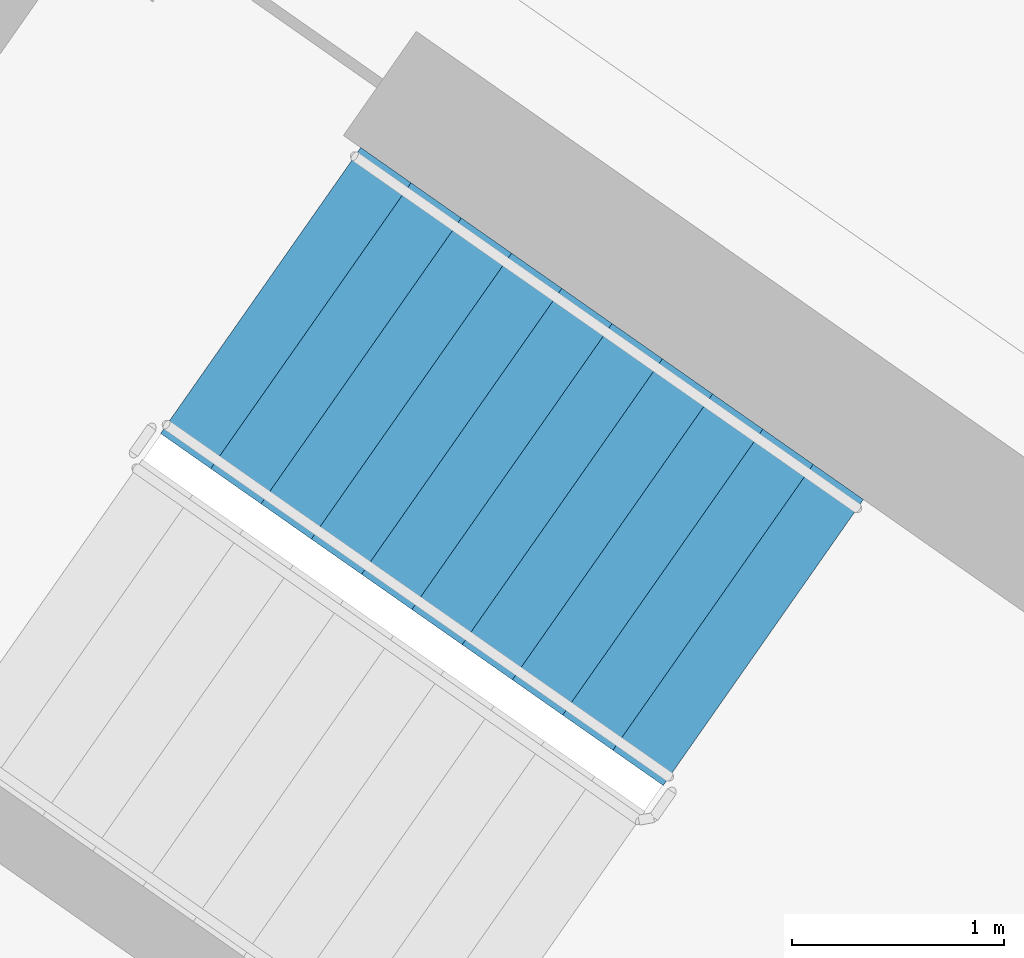
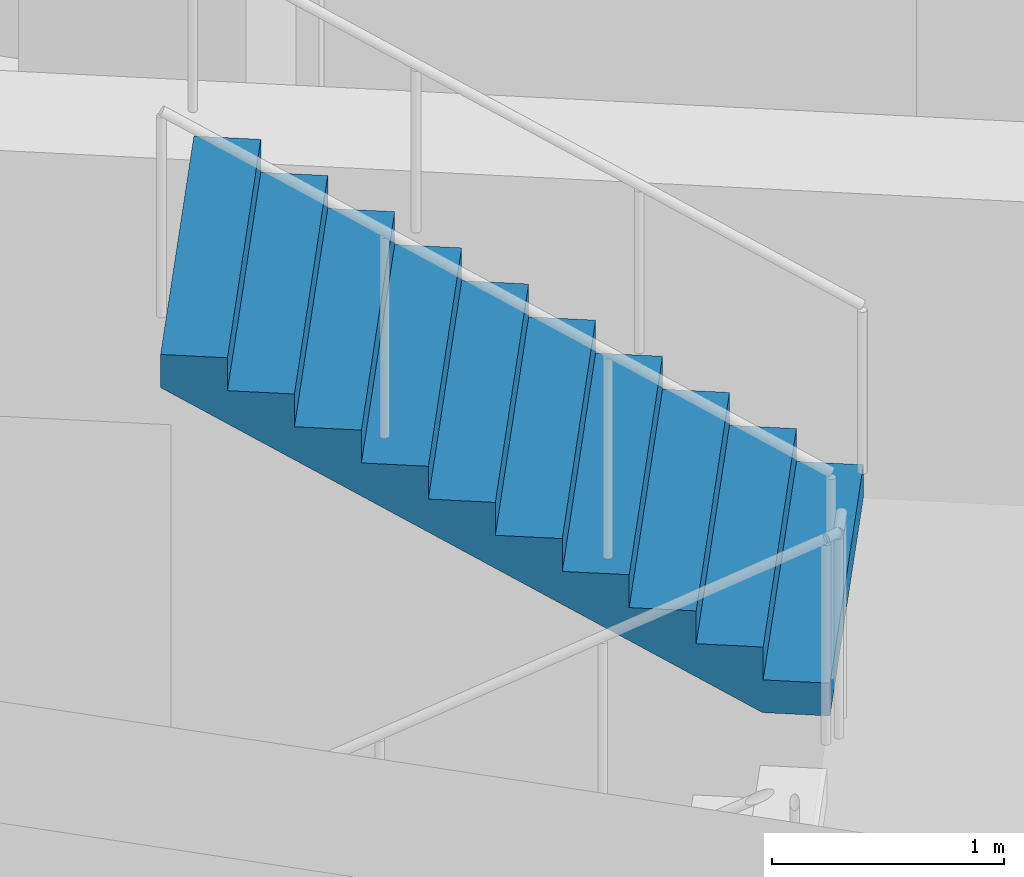
# One storey, part 12 of 27: 1 stair flight, 1 element without a shape of its own.
"""IFC4 building model written with IfcOpenShell, lengths in metres."""

from ifc_helpers import new_model, si_unit, direction, frame, origin, place, context, subcontext, project, spatial, faceted_brep, material, type_object, element, aggregate, save


model = new_model("IFC4")

# Units and contexts
model_context = context("Model", 3, precision=1e-05, world=origin(), true_north=direction((0.0, 1.0)))
body_context = subcontext(model_context, "Body", "Model", "MODEL_VIEW")
ifc_project = project(units=[si_unit("LENGTHUNIT", "METRE"), si_unit("AREAUNIT", "SQUARE_METRE"), si_unit("VOLUMEUNIT", "CUBIC_METRE"), si_unit("PLANEANGLEUNIT", "RADIAN"), si_unit("MASSUNIT", "GRAM", prefix="KILO")], contexts=[model_context])

# Site, building, storey
site_placement = place(None, origin())
site = spatial("IfcSite", under=ifc_project, at=site_placement, CompositionType="ELEMENT")
building_placement = place(site_placement, origin())
building = spatial("IfcBuilding", under=site, at=building_placement, Name="Qamariyya Broadcast Tower", CompositionType="ELEMENT")
storey_placement = place(building_placement, frame((0.0, 0.0, 222.699951171875)))
storey = spatial("IfcBuildingStorey", under=building, at=storey_placement, Name="L53", CompositionType="ELEMENT", Elevation=222.699951171875)

# Stair, stair flight
ifc_material = material(Name="Concrete C50/60", Category="concrete")
stair_type = type_object("IfcStairType", Name="Exit stair 22 risers of 173 mm", PredefinedType="HALF_TURN_STAIR", material=ifc_material)
stair_placement = place(storey_placement, origin())
stair = element("IfcStair", 1, at=stair_placement, inside=storey, type_object=stair_type, Name="L53 Stair W2", PredefinedType="HALF_TURN_STAIR")
stair_flight_type = type_object("IfcStairFlightType", Name="Exit stair flight 11 risers of 173 mm", PredefinedType="STRAIGHT", material=ifc_material)
stair_flight_placement = place(storey_placement, frame((-38.18310546875, -49.3486328125, 1.900146484375), z_axis=(0.0, 0.0, 1.0), x_axis=(-0.819152044289, 0.573576436351, 0.0)))
stair_flight = element("IfcStairFlight", 2, at=stair_flight_placement, type_object=stair_flight_type, Name="ST-W2 flight 2", NumberOfRisers=11, NumberOfTreads=10, PredefinedType="STRAIGHT", RiserHeight=0.172727273, TreadLength=0.29, context=body_context, shape_type="Brep", body=[
    faceted_brep([(0.0, 0.824951171875, 0.0), (0.0, 0.824951171875, 0.172607421875), (0.2900390625, 0.824951171875, 0.172607421875), (0.2900390625, 0.824951171875, 0.345458984375), (0.580078125, 0.824951171875, 0.345458984375), (0.580078125, 0.824951171875, 0.51806640625), (0.8701171875, 0.824951171875, 0.51806640625), (0.8701171875, 0.824951171875, 0.69091796875), (1.159912109375, 0.824951171875, 0.69091796875), (1.159912109375, 0.824951171875, 0.863525390625), (1.449951171875, 0.824951171875, 0.863525390625), (1.449951171875, 0.824951171875, 1.036376953125), (1.739990234375, 0.824951171875, 1.036376953125), (1.739990234375, 0.824951171875, 1.208984375), (2.030029296875, 0.824951171875, 1.208984375), (2.030029296875, 0.824951171875, 1.3818359375), (2.320068359375, 0.824951171875, 1.3818359375), (2.320068359375, 0.824951171875, 1.554443359375), (2.610107421875, 0.824951171875, 1.554443359375), (2.610107421875, 0.824951171875, 1.727294921875), (2.89990234375, 0.824951171875, 1.727294921875), (2.89990234375, 0.824951171875, 1.552734375), (0.29296875, 0.824951171875, 0.0), (0.29296875, -0.824951171875, 0.0), (2.89990234375, -0.824951171875, 1.552734375), (2.89990234375, -0.824951171875, 1.727294921875), (2.610107421875, -0.824951171875, 1.727294921875), (2.610107421875, -0.824951171875, 1.554443359375), (2.320068359375, -0.824951171875, 1.554443359375), (2.320068359375, -0.824951171875, 1.3818359375), (2.030029296875, -0.824951171875, 1.3818359375), (2.030029296875, -0.824951171875, 1.208984375), (1.739990234375, -0.824951171875, 1.208984375), (1.739990234375, -0.824951171875, 1.036376953125), (1.449951171875, -0.824951171875, 1.036376953125), (1.449951171875, -0.824951171875, 0.863525390625), (1.159912109375, -0.824951171875, 0.863525390625), (1.159912109375, -0.824951171875, 0.69091796875), (0.8701171875, -0.824951171875, 0.69091796875), (0.8701171875, -0.824951171875, 0.51806640625), (0.580078125, -0.824951171875, 0.51806640625), (0.580078125, -0.824951171875, 0.345458984375), (0.2900390625, -0.824951171875, 0.345458984375), (0.2900390625, -0.824951171875, 0.172607421875), (0.0, -0.824951171875, 0.172607421875), (0.0, -0.824951171875, 0.0), (0.0, 0.10009765625, 0.0), (0.0, 0.086669921875, 0.0), (0.0, 0.0732421875, 0.0), (0.0, 0.06005859375, 0.0), (0.0, 0.046630859375, 0.0), (0.0, 0.033447265625, 0.0), (0.0, 0.02001953125, 0.0), (0.0, 0.006591796875, 0.0), (0.0, -0.006591796875, 0.0), (0.0, -0.02001953125, 0.0), (0.0, -0.033447265625, 0.0), (0.0, -0.046630859375, 0.0), (0.0, -0.06005859375, 0.0), (0.0, -0.0732421875, 0.0), (0.0, -0.086669921875, 0.0), (0.0, -0.10009765625, 0.0), (0.0, -0.10009765625, 0.172607421875), (0.0, -0.086669921875, 0.172607421875), (0.0, -0.0732421875, 0.172607421875), (0.0, -0.06005859375, 0.172607421875), (0.0, -0.046630859375, 0.172607421875), (0.0, -0.033447265625, 0.172607421875), (0.0, -0.02001953125, 0.172607421875), (0.0, -0.006591796875, 0.172607421875), (0.0, 0.006591796875, 0.172607421875), (0.0, 0.02001953125, 0.172607421875), (0.0, 0.033447265625, 0.172607421875), (0.0, 0.046630859375, 0.172607421875), (0.0, 0.06005859375, 0.172607421875), (0.0, 0.0732421875, 0.172607421875), (0.0, 0.086669921875, 0.172607421875), (0.0, 0.10009765625, 0.172607421875), (0.2900390625, -0.10009765625, 0.172607421875), (0.2900390625, -0.086669921875, 0.172607421875), (0.2900390625, -0.0732421875, 0.172607421875), (0.2900390625, -0.06005859375, 0.172607421875), (0.2900390625, -0.046630859375, 0.172607421875), (0.2900390625, -0.033447265625, 0.172607421875), (0.2900390625, -0.02001953125, 0.172607421875), (0.2900390625, -0.006591796875, 0.172607421875), (0.2900390625, 0.006591796875, 0.172607421875), (0.2900390625, 0.02001953125, 0.172607421875), (0.2900390625, 0.033447265625, 0.172607421875), (0.2900390625, 0.046630859375, 0.172607421875), (0.2900390625, 0.06005859375, 0.172607421875), (0.2900390625, 0.0732421875, 0.172607421875), (0.2900390625, 0.086669921875, 0.172607421875), (0.2900390625, 0.10009765625, 0.172607421875), (0.2900390625, -0.10009765625, 0.345458984375), (0.2900390625, -0.086669921875, 0.345458984375), (0.2900390625, -0.0732421875, 0.345458984375), (0.2900390625, -0.06005859375, 0.345458984375), (0.2900390625, -0.046630859375, 0.345458984375), (0.2900390625, -0.033447265625, 0.345458984375), (0.2900390625, -0.02001953125, 0.345458984375), (0.2900390625, -0.006591796875, 0.345458984375), (0.2900390625, 0.006591796875, 0.345458984375), (0.2900390625, 0.02001953125, 0.345458984375), (0.2900390625, 0.033447265625, 0.345458984375), (0.2900390625, 0.046630859375, 0.345458984375), (0.2900390625, 0.06005859375, 0.345458984375), (0.2900390625, 0.0732421875, 0.345458984375), (0.2900390625, 0.086669921875, 0.345458984375), (0.2900390625, 0.10009765625, 0.345458984375), (0.580078125, -0.10009765625, 0.345458984375), (0.580078125, -0.086669921875, 0.345458984375), (0.580078125, -0.0732421875, 0.345458984375), (0.580078125, -0.06005859375, 0.345458984375), (0.580078125, -0.046630859375, 0.345458984375), (0.580078125, -0.033447265625, 0.345458984375), (0.580078125, -0.02001953125, 0.345458984375), (0.580078125, -0.006591796875, 0.345458984375), (0.580078125, 0.006591796875, 0.345458984375), (0.580078125, 0.02001953125, 0.345458984375), (0.580078125, 0.033447265625, 0.345458984375), (0.580078125, 0.046630859375, 0.345458984375), (0.580078125, 0.06005859375, 0.345458984375), (0.580078125, 0.0732421875, 0.345458984375), (0.580078125, 0.086669921875, 0.345458984375), (0.580078125, 0.10009765625, 0.345458984375), (0.580078125, -0.10009765625, 0.51806640625), (0.580078125, -0.086669921875, 0.51806640625), (0.580078125, -0.0732421875, 0.51806640625), (0.580078125, -0.06005859375, 0.51806640625), (0.580078125, -0.046630859375, 0.51806640625), (0.580078125, -0.033447265625, 0.51806640625), (0.580078125, -0.02001953125, 0.51806640625), (0.580078125, -0.006591796875, 0.51806640625), (0.580078125, 0.006591796875, 0.51806640625), (0.580078125, 0.02001953125, 0.51806640625), (0.580078125, 0.033447265625, 0.51806640625), (0.580078125, 0.046630859375, 0.51806640625), (0.580078125, 0.06005859375, 0.51806640625), (0.580078125, 0.0732421875, 0.51806640625), (0.580078125, 0.086669921875, 0.51806640625), (0.580078125, 0.10009765625, 0.51806640625), (0.8701171875, -0.10009765625, 0.51806640625), (0.8701171875, -0.086669921875, 0.51806640625), (0.8701171875, -0.0732421875, 0.51806640625), (0.8701171875, -0.06005859375, 0.51806640625), (0.8701171875, -0.046630859375, 0.51806640625), (0.8701171875, -0.033447265625, 0.51806640625), (0.8701171875, -0.02001953125, 0.51806640625), (0.8701171875, -0.006591796875, 0.51806640625), (0.8701171875, 0.006591796875, 0.51806640625), (0.8701171875, 0.02001953125, 0.51806640625), (0.8701171875, 0.033447265625, 0.51806640625), (0.8701171875, 0.046630859375, 0.51806640625), (0.8701171875, 0.06005859375, 0.51806640625), (0.8701171875, 0.0732421875, 0.51806640625), (0.8701171875, 0.086669921875, 0.51806640625), (0.8701171875, 0.10009765625, 0.51806640625), (0.8701171875, -0.10009765625, 0.69091796875), (0.8701171875, -0.086669921875, 0.69091796875), (0.8701171875, -0.0732421875, 0.69091796875), (0.8701171875, -0.06005859375, 0.69091796875), (0.8701171875, -0.046630859375, 0.69091796875), (0.8701171875, -0.033447265625, 0.69091796875), (0.8701171875, -0.02001953125, 0.69091796875), (0.8701171875, -0.006591796875, 0.69091796875), (0.8701171875, 0.006591796875, 0.69091796875), (0.8701171875, 0.02001953125, 0.69091796875), (0.8701171875, 0.033447265625, 0.69091796875), (0.8701171875, 0.046630859375, 0.69091796875), (0.8701171875, 0.06005859375, 0.69091796875), (0.8701171875, 0.0732421875, 0.69091796875), (0.8701171875, 0.086669921875, 0.69091796875), (0.8701171875, 0.10009765625, 0.69091796875), (1.159912109375, -0.10009765625, 0.69091796875), (1.159912109375, -0.086669921875, 0.69091796875), (1.159912109375, -0.0732421875, 0.69091796875), (1.159912109375, -0.06005859375, 0.69091796875), (1.159912109375, -0.046630859375, 0.69091796875), (1.159912109375, -0.033447265625, 0.69091796875), (1.159912109375, -0.02001953125, 0.69091796875), (1.159912109375, -0.006591796875, 0.69091796875), (1.159912109375, 0.006591796875, 0.69091796875), (1.159912109375, 0.02001953125, 0.69091796875), (1.159912109375, 0.033447265625, 0.69091796875), (1.159912109375, 0.046630859375, 0.69091796875), (1.159912109375, 0.06005859375, 0.69091796875), (1.159912109375, 0.0732421875, 0.69091796875), (1.159912109375, 0.086669921875, 0.69091796875), (1.159912109375, 0.10009765625, 0.69091796875), (1.159912109375, -0.10009765625, 0.863525390625), (1.159912109375, -0.086669921875, 0.863525390625), (1.159912109375, -0.0732421875, 0.863525390625), (1.159912109375, -0.06005859375, 0.863525390625), (1.159912109375, -0.046630859375, 0.863525390625), (1.159912109375, -0.033447265625, 0.863525390625), (1.159912109375, -0.02001953125, 0.863525390625), (1.159912109375, -0.006591796875, 0.863525390625), (1.159912109375, 0.006591796875, 0.863525390625), (1.159912109375, 0.02001953125, 0.863525390625), (1.159912109375, 0.033447265625, 0.863525390625), (1.159912109375, 0.046630859375, 0.863525390625), (1.159912109375, 0.06005859375, 0.863525390625), (1.159912109375, 0.0732421875, 0.863525390625), (1.159912109375, 0.086669921875, 0.863525390625), (1.159912109375, 0.10009765625, 0.863525390625), (1.449951171875, -0.10009765625, 0.863525390625), (1.449951171875, -0.086669921875, 0.863525390625), (1.449951171875, -0.0732421875, 0.863525390625), (1.449951171875, -0.06005859375, 0.863525390625), (1.449951171875, -0.046630859375, 0.863525390625), (1.449951171875, -0.033447265625, 0.863525390625), (1.449951171875, -0.02001953125, 0.863525390625), (1.449951171875, -0.006591796875, 0.863525390625), (1.449951171875, 0.006591796875, 0.863525390625), (1.449951171875, 0.02001953125, 0.863525390625), (1.449951171875, 0.033447265625, 0.863525390625), (1.449951171875, 0.046630859375, 0.863525390625), (1.449951171875, 0.06005859375, 0.863525390625), (1.449951171875, 0.0732421875, 0.863525390625), (1.449951171875, 0.086669921875, 0.863525390625), (1.449951171875, 0.10009765625, 0.863525390625), (1.449951171875, -0.10009765625, 1.036376953125), (1.449951171875, -0.086669921875, 1.036376953125), (1.449951171875, -0.0732421875, 1.036376953125), (1.449951171875, -0.06005859375, 1.036376953125), (1.449951171875, -0.046630859375, 1.036376953125), (1.449951171875, -0.033447265625, 1.036376953125), (1.449951171875, -0.02001953125, 1.036376953125), (1.449951171875, -0.006591796875, 1.036376953125), (1.449951171875, 0.006591796875, 1.036376953125), (1.449951171875, 0.02001953125, 1.036376953125), (1.449951171875, 0.033447265625, 1.036376953125), (1.449951171875, 0.046630859375, 1.036376953125), (1.449951171875, 0.06005859375, 1.036376953125), (1.449951171875, 0.0732421875, 1.036376953125), (1.449951171875, 0.086669921875, 1.036376953125), (1.449951171875, 0.10009765625, 1.036376953125), (1.739990234375, -0.10009765625, 1.036376953125), (1.739990234375, -0.086669921875, 1.036376953125), (1.739990234375, -0.0732421875, 1.036376953125), (1.739990234375, -0.06005859375, 1.036376953125), (1.739990234375, -0.046630859375, 1.036376953125), (1.739990234375, -0.033447265625, 1.036376953125), (1.739990234375, -0.02001953125, 1.036376953125), (1.739990234375, -0.006591796875, 1.036376953125), (1.739990234375, 0.006591796875, 1.036376953125), (1.739990234375, 0.02001953125, 1.036376953125), (1.739990234375, 0.033447265625, 1.036376953125), (1.739990234375, 0.046630859375, 1.036376953125), (1.739990234375, 0.06005859375, 1.036376953125), (1.739990234375, 0.0732421875, 1.036376953125), (1.739990234375, 0.086669921875, 1.036376953125), (1.739990234375, 0.10009765625, 1.036376953125), (1.739990234375, -0.10009765625, 1.208984375), (1.739990234375, -0.086669921875, 1.208984375), (1.739990234375, -0.0732421875, 1.208984375), (1.739990234375, -0.06005859375, 1.208984375), (1.739990234375, -0.046630859375, 1.208984375), (1.739990234375, -0.033447265625, 1.208984375), (1.739990234375, -0.02001953125, 1.208984375), (1.739990234375, -0.006591796875, 1.208984375), (1.739990234375, 0.006591796875, 1.208984375), (1.739990234375, 0.02001953125, 1.208984375), (1.739990234375, 0.033447265625, 1.208984375), (1.739990234375, 0.046630859375, 1.208984375), (1.739990234375, 0.06005859375, 1.208984375), (1.739990234375, 0.0732421875, 1.208984375), (1.739990234375, 0.086669921875, 1.208984375), (1.739990234375, 0.10009765625, 1.208984375), (2.030029296875, -0.10009765625, 1.208984375), (2.030029296875, -0.086669921875, 1.208984375), (2.030029296875, -0.0732421875, 1.208984375), (2.030029296875, -0.06005859375, 1.208984375), (2.030029296875, -0.046630859375, 1.208984375), (2.030029296875, -0.033447265625, 1.208984375), (2.030029296875, -0.02001953125, 1.208984375), (2.030029296875, -0.006591796875, 1.208984375), (2.030029296875, 0.006591796875, 1.208984375), (2.030029296875, 0.02001953125, 1.208984375), (2.030029296875, 0.033447265625, 1.208984375), (2.030029296875, 0.046630859375, 1.208984375), (2.030029296875, 0.06005859375, 1.208984375), (2.030029296875, 0.0732421875, 1.208984375), (2.030029296875, 0.086669921875, 1.208984375), (2.030029296875, 0.10009765625, 1.208984375), (2.030029296875, -0.10009765625, 1.3818359375), (2.030029296875, -0.086669921875, 1.3818359375), (2.030029296875, -0.0732421875, 1.3818359375), (2.030029296875, -0.06005859375, 1.3818359375), (2.030029296875, -0.046630859375, 1.3818359375), (2.030029296875, -0.033447265625, 1.3818359375), (2.030029296875, -0.02001953125, 1.3818359375), (2.030029296875, -0.006591796875, 1.3818359375), (2.030029296875, 0.006591796875, 1.3818359375), (2.030029296875, 0.02001953125, 1.3818359375), (2.030029296875, 0.033447265625, 1.3818359375), (2.030029296875, 0.046630859375, 1.3818359375), (2.030029296875, 0.06005859375, 1.3818359375), (2.030029296875, 0.0732421875, 1.3818359375), (2.030029296875, 0.086669921875, 1.3818359375), (2.030029296875, 0.10009765625, 1.3818359375), (2.320068359375, -0.10009765625, 1.3818359375), (2.320068359375, -0.086669921875, 1.3818359375), (2.320068359375, -0.0732421875, 1.3818359375), (2.320068359375, -0.06005859375, 1.3818359375), (2.320068359375, -0.046630859375, 1.3818359375), (2.320068359375, -0.033447265625, 1.3818359375), (2.320068359375, -0.02001953125, 1.3818359375), (2.320068359375, -0.006591796875, 1.3818359375), (2.320068359375, 0.006591796875, 1.3818359375), (2.320068359375, 0.02001953125, 1.3818359375), (2.320068359375, 0.033447265625, 1.3818359375), (2.320068359375, 0.046630859375, 1.3818359375), (2.320068359375, 0.06005859375, 1.3818359375), (2.320068359375, 0.0732421875, 1.3818359375), (2.320068359375, 0.086669921875, 1.3818359375), (2.320068359375, 0.10009765625, 1.3818359375), (2.320068359375, -0.10009765625, 1.554443359375), (2.320068359375, -0.086669921875, 1.554443359375), (2.320068359375, -0.0732421875, 1.554443359375), (2.320068359375, -0.06005859375, 1.554443359375), (2.320068359375, -0.046630859375, 1.554443359375), (2.320068359375, -0.033447265625, 1.554443359375), (2.320068359375, -0.02001953125, 1.554443359375), (2.320068359375, -0.006591796875, 1.554443359375), (2.320068359375, 0.006591796875, 1.554443359375), (2.320068359375, 0.02001953125, 1.554443359375), (2.320068359375, 0.033447265625, 1.554443359375), (2.320068359375, 0.046630859375, 1.554443359375), (2.320068359375, 0.06005859375, 1.554443359375), (2.320068359375, 0.0732421875, 1.554443359375), (2.320068359375, 0.086669921875, 1.554443359375), (2.320068359375, 0.10009765625, 1.554443359375), (2.610107421875, -0.10009765625, 1.554443359375), (2.610107421875, -0.086669921875, 1.554443359375), (2.610107421875, -0.0732421875, 1.554443359375), (2.610107421875, -0.06005859375, 1.554443359375), (2.610107421875, -0.046630859375, 1.554443359375), (2.610107421875, -0.033447265625, 1.554443359375), (2.610107421875, -0.02001953125, 1.554443359375), (2.610107421875, -0.006591796875, 1.554443359375), (2.610107421875, 0.006591796875, 1.554443359375), (2.610107421875, 0.02001953125, 1.554443359375), (2.610107421875, 0.033447265625, 1.554443359375), (2.610107421875, 0.046630859375, 1.554443359375), (2.610107421875, 0.06005859375, 1.554443359375), (2.610107421875, 0.0732421875, 1.554443359375), (2.610107421875, 0.086669921875, 1.554443359375), (2.610107421875, 0.10009765625, 1.554443359375), (2.610107421875, -0.10009765625, 1.727294921875), (2.610107421875, -0.086669921875, 1.727294921875), (2.610107421875, -0.0732421875, 1.727294921875), (2.610107421875, -0.06005859375, 1.727294921875), (2.610107421875, -0.046630859375, 1.727294921875), (2.610107421875, -0.033447265625, 1.727294921875), (2.610107421875, -0.02001953125, 1.727294921875), (2.610107421875, -0.006591796875, 1.727294921875), (2.610107421875, 0.006591796875, 1.727294921875), (2.610107421875, 0.02001953125, 1.727294921875), (2.610107421875, 0.033447265625, 1.727294921875), (2.610107421875, 0.046630859375, 1.727294921875), (2.610107421875, 0.06005859375, 1.727294921875), (2.610107421875, 0.0732421875, 1.727294921875), (2.610107421875, 0.086669921875, 1.727294921875), (2.610107421875, 0.10009765625, 1.727294921875), (2.89990234375, -0.10009765625, 1.727294921875), (2.89990234375, -0.086669921875, 1.727294921875), (2.89990234375, -0.0732421875, 1.727294921875), (2.89990234375, -0.06005859375, 1.727294921875), (2.89990234375, -0.046630859375, 1.727294921875), (2.89990234375, -0.033447265625, 1.727294921875), (2.89990234375, -0.02001953125, 1.727294921875), (2.89990234375, -0.006591796875, 1.727294921875), (2.89990234375, 0.006591796875, 1.727294921875), (2.89990234375, 0.02001953125, 1.727294921875), (2.89990234375, 0.033447265625, 1.727294921875), (2.89990234375, 0.046630859375, 1.727294921875), (2.89990234375, 0.06005859375, 1.727294921875), (2.89990234375, 0.0732421875, 1.727294921875), (2.89990234375, 0.086669921875, 1.727294921875), (2.89990234375, 0.10009765625, 1.727294921875), (2.89990234375, -0.10009765625, 1.552734375), (2.89990234375, -0.086669921875, 1.552734375), (2.89990234375, -0.0732421875, 1.552734375), (2.89990234375, -0.06005859375, 1.552734375), (2.89990234375, -0.046630859375, 1.552734375), (2.89990234375, -0.033447265625, 1.552734375), (2.89990234375, -0.02001953125, 1.552734375), (2.89990234375, -0.006591796875, 1.552734375), (2.89990234375, 0.006591796875, 1.552734375), (2.89990234375, 0.02001953125, 1.552734375), (2.89990234375, 0.033447265625, 1.552734375), (2.89990234375, 0.046630859375, 1.552734375), (2.89990234375, 0.06005859375, 1.552734375), (2.89990234375, 0.0732421875, 1.552734375), (2.89990234375, 0.086669921875, 1.552734375), (2.89990234375, 0.10009765625, 1.552734375), (0.29296875, -0.10009765625, 0.0), (0.29296875, -0.086669921875, 0.0), (0.29296875, -0.0732421875, 0.0), (0.29296875, -0.06005859375, 0.0), (0.29296875, -0.046630859375, 0.0), (0.29296875, -0.033447265625, 0.0), (0.29296875, -0.02001953125, 0.0), (0.29296875, -0.006591796875, 0.0), (0.29296875, 0.006591796875, 0.0), (0.29296875, 0.02001953125, 0.0), (0.29296875, 0.033447265625, 0.0), (0.29296875, 0.046630859375, 0.0), (0.29296875, 0.06005859375, 0.0), (0.29296875, 0.0732421875, 0.0), (0.29296875, 0.086669921875, 0.0), (0.29296875, 0.10009765625, 0.0)], [[[0, 1, 2, 3, 4, 5, 6, 7, 8, 9, 10, 11, 12, 13, 14, 15, 16, 17, 18, 19, 20, 21, 22]], [[23, 24, 25, 26, 27, 28, 29, 30, 31, 32, 33, 34, 35, 36, 37, 38, 39, 40, 41, 42, 43, 44, 45]], [[0, 46, 47, 48, 49, 50, 51, 52, 53, 54, 55, 56, 57, 58, 59, 60, 61, 45, 44, 62, 63, 64, 65, 66, 67, 68, 69, 70, 71, 72, 73, 74, 75, 76, 77, 1]], [[1, 77, 76, 75, 74, 73, 72, 71, 70, 69, 68, 67, 66, 65, 64, 63, 62, 44, 43, 78, 79, 80, 81, 82, 83, 84, 85, 86, 87, 88, 89, 90, 91, 92, 93, 2]], [[2, 93, 92, 91, 90, 89, 88, 87, 86, 85, 84, 83, 82, 81, 80, 79, 78, 43, 42, 94, 95, 96, 97, 98, 99, 100, 101, 102, 103, 104, 105, 106, 107, 108, 109, 3]], [[3, 109, 108, 107, 106, 105, 104, 103, 102, 101, 100, 99, 98, 97, 96, 95, 94, 42, 41, 110, 111, 112, 113, 114, 115, 116, 117, 118, 119, 120, 121, 122, 123, 124, 125, 4]], [[4, 125, 124, 123, 122, 121, 120, 119, 118, 117, 116, 115, 114, 113, 112, 111, 110, 41, 40, 126, 127, 128, 129, 130, 131, 132, 133, 134, 135, 136, 137, 138, 139, 140, 141, 5]], [[5, 141, 140, 139, 138, 137, 136, 135, 134, 133, 132, 131, 130, 129, 128, 127, 126, 40, 39, 142, 143, 144, 145, 146, 147, 148, 149, 150, 151, 152, 153, 154, 155, 156, 157, 6]], [[6, 157, 156, 155, 154, 153, 152, 151, 150, 149, 148, 147, 146, 145, 144, 143, 142, 39, 38, 158, 159, 160, 161, 162, 163, 164, 165, 166, 167, 168, 169, 170, 171, 172, 173, 7]], [[7, 173, 172, 171, 170, 169, 168, 167, 166, 165, 164, 163, 162, 161, 160, 159, 158, 38, 37, 174, 175, 176, 177, 178, 179, 180, 181, 182, 183, 184, 185, 186, 187, 188, 189, 8]], [[8, 189, 188, 187, 186, 185, 184, 183, 182, 181, 180, 179, 178, 177, 176, 175, 174, 37, 36, 190, 191, 192, 193, 194, 195, 196, 197, 198, 199, 200, 201, 202, 203, 204, 205, 9]], [[9, 205, 204, 203, 202, 201, 200, 199, 198, 197, 196, 195, 194, 193, 192, 191, 190, 36, 35, 206, 207, 208, 209, 210, 211, 212, 213, 214, 215, 216, 217, 218, 219, 220, 221, 10]], [[10, 221, 220, 219, 218, 217, 216, 215, 214, 213, 212, 211, 210, 209, 208, 207, 206, 35, 34, 222, 223, 224, 225, 226, 227, 228, 229, 230, 231, 232, 233, 234, 235, 236, 237, 11]], [[11, 237, 236, 235, 234, 233, 232, 231, 230, 229, 228, 227, 226, 225, 224, 223, 222, 34, 33, 238, 239, 240, 241, 242, 243, 244, 245, 246, 247, 248, 249, 250, 251, 252, 253, 12]], [[12, 253, 252, 251, 250, 249, 248, 247, 246, 245, 244, 243, 242, 241, 240, 239, 238, 33, 32, 254, 255, 256, 257, 258, 259, 260, 261, 262, 263, 264, 265, 266, 267, 268, 269, 13]], [[13, 269, 268, 267, 266, 265, 264, 263, 262, 261, 260, 259, 258, 257, 256, 255, 254, 32, 31, 270, 271, 272, 273, 274, 275, 276, 277, 278, 279, 280, 281, 282, 283, 284, 285, 14]], [[14, 285, 284, 283, 282, 281, 280, 279, 278, 277, 276, 275, 274, 273, 272, 271, 270, 31, 30, 286, 287, 288, 289, 290, 291, 292, 293, 294, 295, 296, 297, 298, 299, 300, 301, 15]], [[15, 301, 300, 299, 298, 297, 296, 295, 294, 293, 292, 291, 290, 289, 288, 287, 286, 30, 29, 302, 303, 304, 305, 306, 307, 308, 309, 310, 311, 312, 313, 314, 315, 316, 317, 16]], [[16, 317, 316, 315, 314, 313, 312, 311, 310, 309, 308, 307, 306, 305, 304, 303, 302, 29, 28, 318, 319, 320, 321, 322, 323, 324, 325, 326, 327, 328, 329, 330, 331, 332, 333, 17]], [[17, 333, 332, 331, 330, 329, 328, 327, 326, 325, 324, 323, 322, 321, 320, 319, 318, 28, 27, 334, 335, 336, 337, 338, 339, 340, 341, 342, 343, 344, 345, 346, 347, 348, 349, 18]], [[18, 349, 348, 347, 346, 345, 344, 343, 342, 341, 340, 339, 338, 337, 336, 335, 334, 27, 26, 350, 351, 352, 353, 354, 355, 356, 357, 358, 359, 360, 361, 362, 363, 364, 365, 19]], [[19, 365, 364, 363, 362, 361, 360, 359, 358, 357, 356, 355, 354, 353, 352, 351, 350, 26, 25, 366, 367, 368, 369, 370, 371, 372, 373, 374, 375, 376, 377, 378, 379, 380, 381, 20]], [[20, 381, 380, 379, 378, 377, 376, 375, 374, 373, 372, 371, 370, 369, 368, 367, 366, 25, 24, 382, 383, 384, 385, 386, 387, 388, 389, 390, 391, 392, 393, 394, 395, 396, 397, 21]], [[21, 397, 396, 395, 394, 393, 392, 391, 390, 389, 388, 387, 386, 385, 384, 383, 382, 24, 23, 398, 399, 400, 401, 402, 403, 404, 405, 406, 407, 408, 409, 410, 411, 412, 413, 22]], [[22, 413, 412, 411, 410, 409, 408, 407, 406, 405, 404, 403, 402, 401, 400, 399, 398, 23, 45, 61, 60, 59, 58, 57, 56, 55, 54, 53, 52, 51, 50, 49, 48, 47, 46, 0]]]),
])
aggregate(stair, [stair_flight])

save(model, "model.ifc")
